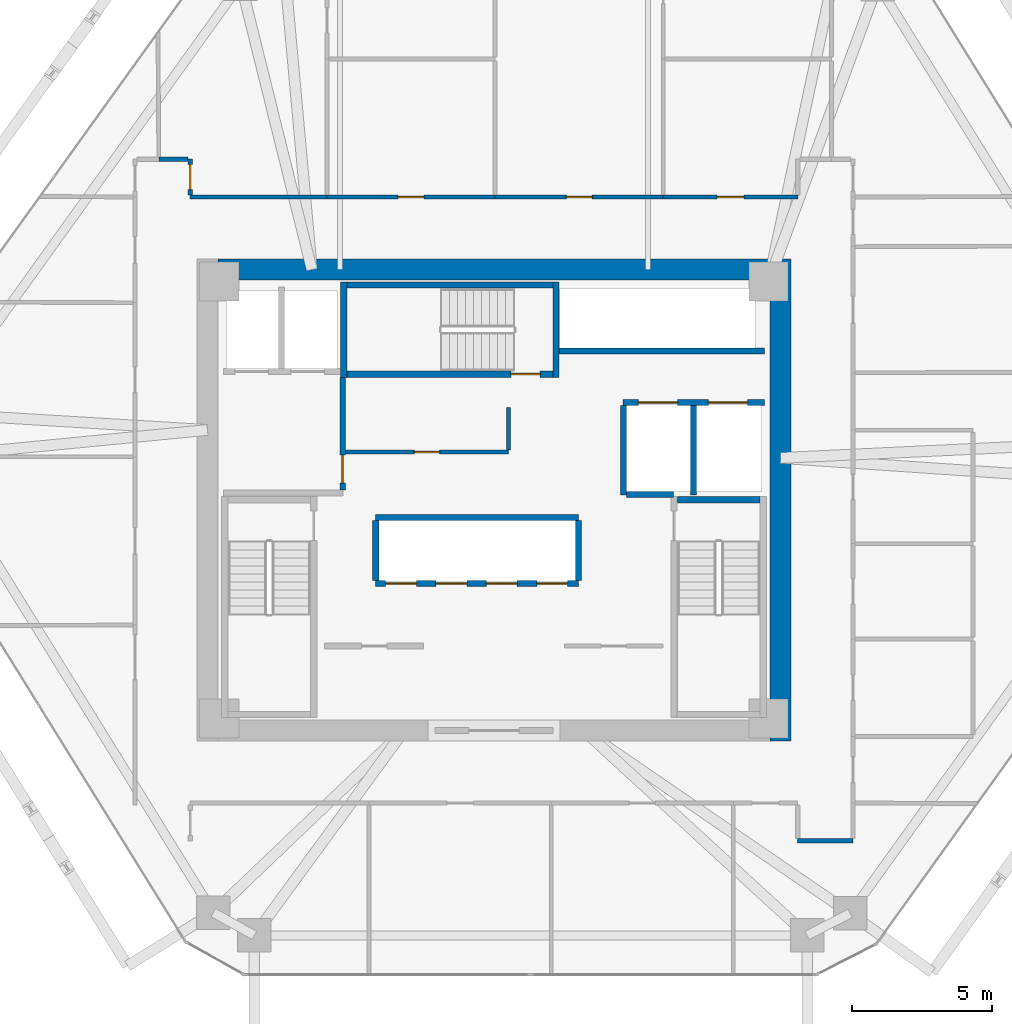
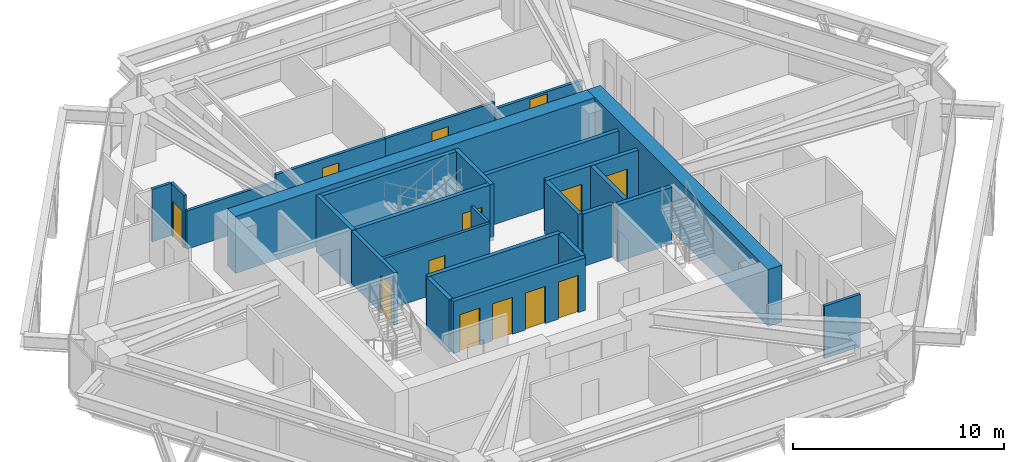
# One storey, part 11 of 14: 26 walls, 13 doors, 13 openings.
"""IFC4 building model written with IfcOpenShell, lengths in metres."""

from ifc_helpers import new_model, si_unit, direction, frame, frame_2d, origin, place, context, subcontext, project, spatial, rectangle, extrude, source, transform, mapped, material, layer, layer_set, type_object, type_shapes, element, fill, save


model = new_model("IFC4")

# Units and contexts
model_context = context("Model", 3, precision=1e-05, world=origin(), true_north=direction((0.0, 1.0)))
body_context = subcontext(model_context, "Body", "Model", "MODEL_VIEW")
ifc_project = project(units=[si_unit("LENGTHUNIT", "METRE"), si_unit("AREAUNIT", "SQUARE_METRE"), si_unit("VOLUMEUNIT", "CUBIC_METRE"), si_unit("PLANEANGLEUNIT", "RADIAN"), si_unit("MASSUNIT", "GRAM", prefix="KILO")], contexts=[model_context])

# Site, building, storey
site_placement = place(None, origin())
site = spatial("IfcSite", under=ifc_project, at=site_placement, CompositionType="ELEMENT")
building_placement = place(site_placement, origin())
building = spatial("IfcBuilding", under=site, at=building_placement, Name="Durnholm Broadcast Tower", CompositionType="ELEMENT")
storey_placement = place(building_placement, frame((0.0, 0.0, 114.0)))
storey = spatial("IfcBuildingStorey", under=building, at=storey_placement, Name="L30", CompositionType="ELEMENT", Elevation=114.0)

# Walls
ifc_material_1 = material(Name="Concrete C70/85", Category="concrete")
ifc_layer_1 = layer(ifc_material_1, 0.75)
ifc_layer_set_1 = layer_set([ifc_layer_1], Name="Concrete C70/85")
wall_type_1 = type_object("IfcWallType", Name="WALL-CW-750", PredefinedType="SHEAR", material=ifc_layer_set_1)
wall_1_placement = place(storey_placement, frame((10.22509765625, -8.60009765625, 0.0), z_axis=(0.0, 0.0, 1.0), x_axis=(0.0, 1.0, 0.0)))
element("IfcWall", 1, at=wall_1_placement, inside=storey, type_object=wall_type_1, Name="L30 central core shear wall CW-EAST", PredefinedType="SHEAR", context=body_context, shape_type="SweptSolid", body=[
    extrude(rectangle(XDim=17.2001953125, YDim=0.75, at=frame_2d((8.60009765625, 0.0))), origin(), (0.0, 0.0, 1.0), 3.300048828125),
])
wall_2_placement = place(storey_placement, frame((-9.85009765625, 8.22509765625, 0.0), z_axis=(0.0, 0.0, 1.0), x_axis=(1.0, 0.0, 0.0)))
element("IfcWall", 2, at=wall_2_placement, inside=storey, type_object=wall_type_1, Name="L30 central core shear wall CW-N", PredefinedType="SHEAR", context=body_context, shape_type="SweptSolid", body=[
    extrude(rectangle(XDim=19.7001953125, YDim=0.75, at=frame_2d((9.85009765625, 0.0))), origin(), (0.0, 0.0, 1.0), 3.300048828125),
])

# Wall, opening, door
ifc_material_2 = material(Name="Fire-Rated Gypsum Shaftwall", Category="concrete")
ifc_layer_2 = layer(ifc_material_2, 0.199951171875)
ifc_layer_set_2 = layer_set([ifc_layer_2], Name="Fire-Rated Gypsum Shaftwall")
wall_type_2 = type_object("IfcWallType", Name="WALL-LOB-200", PredefinedType="SOLIDWALL", material=ifc_layer_set_2)
wall_3_placement = place(storey_placement, frame((-5.39990234375, 0.35400390625, 0.0), z_axis=(0.0, 0.0, 1.0), x_axis=(0.0, 1.0, 0.0)))
wall_3 = element("IfcWall", 3, at=wall_3_placement, inside=storey, type_object=wall_type_2, Name="L30 Fire Service Access Elevator lobby east fire wall", PredefinedType="SOLIDWALL", context=body_context, shape_type="SweptSolid", body=[
    extrude(rectangle(XDim=4.02587890625, YDim=0.199951171875, at=frame_2d((2.012939453125, 0.0))), origin(), (0.0, 0.0, 1.0), 3.044921875),
])
opening_1_placement = place(wall_3_placement, frame((0.24609375, 0.0, 0.0)))
opening_1 = element("IfcOpeningElement", 4, at=opening_1_placement, cuts=wall_3, Name="Opening DL-60L", PredefinedType="OPENING", context=body_context, shape_type="SweptSolid", body=[
    extrude(rectangle(XDim=1.0, YDim=2.14990234375, at=frame_2d((0.5, 1.074951171875))), frame((0.0, 0.10986328125, 0.0), z_axis=(0.0, -1.0, 0.0), x_axis=(1.0, 0.0, 0.0)), (0.0, 0.0, 1.0), 0.219970703125),
])
ifc_material_3 = material(Name="Fire-Rated Timber/Steel Door", Category="steel")
ifc_layer_3 = layer(ifc_material_3, 0.050048828125)
ifc_layer_set_3 = layer_set([ifc_layer_3], Name="Fire-Rated Timber/Steel Door")
door_type_1 = type_object("IfcDoorType", Name="DOOR-LOB-FD60-L", OperationType="NOTDEFINED", PredefinedType="DOOR", material=ifc_layer_set_3)
shared_shape_1 = source(origin(), body_context, "Body", "SweptSolid", [
    extrude(rectangle(XDim=1.0, YDim=2.14990234375, at=frame_2d((0.5, 1.074951171875))), frame((0.0, 0.02490234375, 0.0), z_axis=(0.0, -1.0, 0.0), x_axis=(1.0, 0.0, 0.0)), (0.0, 0.0, 1.0), 0.050048828125),
])
type_shapes(door_type_1, [shared_shape_1])
door_1_placement = place(opening_1_placement, origin())
door_1 = element("IfcDoor", 5, at=door_1_placement, inside=storey, type_object=door_type_1, Name="L30 Fire Service Access Elevator lobby smoke door", OperationType="SINGLE_SWING_LEFT", OverallHeight=2.14990234375, OverallWidth=1.0, PredefinedType="DOOR", context=body_context, shape_type="MappedRepresentation", body=[
    mapped(shared_shape_1, transform((0.0, 0.0, 0.0), x_axis=(1.0, 0.0, 0.0), y_axis=(0.0, 1.0, 0.0), z_axis=(0.0, 0.0, 1.0), scale=1.0)),
])
fill(opening_1, door_1)

ifc_material_4 = material(Name="Acoustic Gypsum Stud Partition", Category="concrete")
ifc_layer_4 = layer(ifc_material_4, 0.14990234375)
ifc_layer_set_4 = layer_set([ifc_layer_4], Name="Acoustic Gypsum Stud Partition")
wall_type_3 = type_object("IfcWallType", Name="WALL-PART-150", PredefinedType="PARTITIONING", material=ifc_layer_set_4)
wall_4_placement = place(storey_placement, frame((0.52001953125, 1.7099609375, 0.0), z_axis=(0.0, 0.0, 1.0), x_axis=(-1.0, 0.0, 0.0)))
wall_4 = element("IfcWall", 6, at=wall_4_placement, inside=storey, type_object=wall_type_3, Name="L30 Core Housekeeping Room corridor partition", PredefinedType="PARTITIONING", context=body_context, shape_type="SweptSolid", body=[
    extrude(rectangle(XDim=5.81591796875, YDim=0.14990234375, at=frame_2d((2.907958984375, 0.0))), origin(), (0.0, 0.0, 1.0), 3.044921875),
])
opening_2_placement = place(wall_4_placement, frame((2.4580078125, 0.0, 0.0)))
opening_2 = element("IfcOpeningElement", 7, at=opening_2_placement, cuts=wall_4, Name="Opening DC-60L", PredefinedType="OPENING", context=body_context, shape_type="SweptSolid", body=[
    extrude(rectangle(XDim=0.89990234375, YDim=2.050048828125, at=frame_2d((0.449951171875, 1.02490234375))), frame((0.0, 0.0849609375, 0.0), z_axis=(0.0, -1.0, 0.0), x_axis=(1.0, 0.0, 0.0)), (0.0, 0.0, 1.0), 0.169921875),
])
ifc_material_5 = material(Name="Fire-Rated Core Service Door", Category="steel")
ifc_layer_5 = layer(ifc_material_5, 0.050048828125)
ifc_layer_set_5 = layer_set([ifc_layer_5], Name="Fire-Rated Core Service Door")
door_type_2 = type_object("IfcDoorType", Name="DOOR-CORE-FD60-L", OperationType="NOTDEFINED", PredefinedType="DOOR", material=ifc_layer_set_5)
shared_shape_2 = source(origin(), body_context, "Body", "SweptSolid", [
    extrude(rectangle(XDim=0.89990234375, YDim=2.050048828125, at=frame_2d((0.449951171875, 1.02490234375))), frame((0.0, 0.02490234375, 0.0), z_axis=(0.0, -1.0, 0.0), x_axis=(1.0, 0.0, 0.0)), (0.0, 0.0, 1.0), 0.050048828125),
])
type_shapes(door_type_2, [shared_shape_2])
door_2_placement = place(opening_2_placement, origin())
door_2 = element("IfcDoor", 8, at=door_2_placement, inside=storey, type_object=door_type_2, Name="L30 Core Housekeeping Room entrance door", OperationType="SINGLE_SWING_LEFT", OverallHeight=2.050048828125, OverallWidth=0.89990234375, PredefinedType="DOOR", context=body_context, shape_type="MappedRepresentation", body=[
    mapped(shared_shape_2, transform((0.0, 0.0, 0.0), x_axis=(1.0, 0.0, 0.0), y_axis=(0.0, 1.0, 0.0), z_axis=(0.0, 0.0, 1.0), scale=1.0)),
])
fill(opening_2, door_2)

# Walls
wall_5_placement = place(storey_placement, frame((0.52001953125, 3.300048828125, 0.0), z_axis=(0.0, 0.0, 1.0), x_axis=(0.0, -1.0, 0.0)))
element("IfcWall", 9, at=wall_5_placement, inside=storey, type_object=wall_type_3, Name="L30 Core Housekeeping Room corridor partition", PredefinedType="PARTITIONING", context=body_context, shape_type="SweptSolid", body=[
    extrude(rectangle(XDim=1.510986328125, YDim=0.14990234375, at=frame_2d((0.75537109375, 0.0))), origin(), (0.0, 0.0, 1.0), 3.044921875),
])
wall_6_placement = place(storey_placement, frame((-5.9599609375, 10.81005859375, 0.0), z_axis=(0.0, 0.0, 1.0), x_axis=(-1.0, 0.0, 0.0)))
element("IfcWall", 10, at=wall_6_placement, inside=storey, type_object=wall_type_3, Name="L30 Open Plan Broadcast Workspace 3 corridor partition", PredefinedType="PARTITIONING", context=body_context, shape_type="SweptSolid", body=[
    extrude(rectangle(XDim=4.880126953125, YDim=0.14990234375, at=frame_2d((2.43994140625, 0.0))), origin(), (0.0, 0.0, 1.0), 2.212158203125),
])

# Wall, opening, door
wall_7_placement = place(storey_placement, frame((-10.840087890625, 10.888916015625, 0.0), z_axis=(0.0, 0.0, 1.0), x_axis=(0.0, 1.0, 0.0)))
wall_7 = element("IfcWall", 11, at=wall_7_placement, inside=storey, type_object=wall_type_3, Name="L30 Open Plan Broadcast Workspace 3 corridor partition", PredefinedType="PARTITIONING", context=body_context, shape_type="SweptSolid", body=[
    extrude(rectangle(XDim=1.27099609375, YDim=0.14990234375, at=frame_2d((0.635498046875, 0.0))), origin(), (0.0, 0.0, 1.0), 3.044921875),
])
opening_3_placement = place(wall_7_placement, frame((0.185546875, 0.0, 0.0)))
opening_3 = element("IfcOpeningElement", 12, at=opening_3_placement, cuts=wall_7, Name="Opening DW-90R", PredefinedType="OPENING", context=body_context, shape_type="SweptSolid", body=[
    extrude(rectangle(XDim=0.89990234375, YDim=2.050048828125, at=frame_2d((0.449951171875, 1.02490234375))), frame((0.0, 0.0849609375, 0.0), z_axis=(0.0, -1.0, 0.0), x_axis=(1.0, 0.0, 0.0)), (0.0, 0.0, 1.0), 0.169921875),
])
ifc_material_6 = material(Name="Laminate Restroom Door", Category="steel")
ifc_layer_6 = layer(ifc_material_6, 0.050048828125)
ifc_layer_set_6 = layer_set([ifc_layer_6], Name="Laminate Restroom Door")
door_type_3 = type_object("IfcDoorType", Name="DOOR-WC-900R", OperationType="NOTDEFINED", PredefinedType="DOOR", material=ifc_layer_set_6)
shared_shape_3 = source(origin(), body_context, "Body", "SweptSolid", [
    extrude(rectangle(XDim=0.89990234375, YDim=2.050048828125, at=frame_2d((0.449951171875, 1.02490234375))), frame((0.0, 0.02490234375, 0.0), z_axis=(0.0, -1.0, 0.0), x_axis=(1.0, 0.0, 0.0)), (0.0, 0.0, 1.0), 0.050048828125),
])
type_shapes(door_type_3, [shared_shape_3])
door_3_placement = place(opening_3_placement, origin())
door_3 = element("IfcDoor", 13, at=door_3_placement, inside=storey, type_object=door_type_3, Name="L30 Open Plan Broadcast Workspace 3 entrance door", OperationType="SINGLE_SWING_RIGHT", OverallHeight=2.050048828125, OverallWidth=0.89990234375, PredefinedType="DOOR", context=body_context, shape_type="MappedRepresentation", body=[
    mapped(shared_shape_3, transform((0.0, 0.0, 0.0), x_axis=(1.0, 0.0, 0.0), y_axis=(0.0, 1.0, 0.0), z_axis=(0.0, 0.0, 1.0), scale=1.0)),
])
fill(opening_3, door_3)

# Wall
wall_8_placement = place(storey_placement, frame((-10.9189453125, 12.159912109375, 0.0), z_axis=(0.0, 0.0, 1.0), x_axis=(-1.0, 0.0, 0.0)))
element("IfcWall", 14, at=wall_8_placement, inside=storey, type_object=wall_type_3, Name="L30 Open Plan Broadcast Workspace 3 corridor partition", PredefinedType="PARTITIONING", context=body_context, shape_type="SweptSolid", body=[
    extrude(rectangle(XDim=1.041015625, YDim=0.14990234375, at=frame_2d((0.5205078125, 0.0))), origin(), (0.0, 0.0, 1.0), 3.044921875),
])

# Wall, opening, door
wall_9_placement = place(storey_placement, frame((0.0400390625, 10.81005859375, 0.0), z_axis=(0.0, 0.0, 1.0), x_axis=(-1.0, 0.0, 0.0)))
wall_9 = element("IfcWall", 15, at=wall_9_placement, inside=storey, type_object=wall_type_3, Name="L30 Affiliate Dining Room corridor partition", PredefinedType="PARTITIONING", context=body_context, shape_type="SweptSolid", body=[
    extrude(rectangle(XDim=6.0, YDim=0.14990234375, at=frame_2d((3.0, 0.0))), origin(), (0.0, 0.0, 1.0), 2.6083984375),
])
opening_4_placement = place(wall_9_placement, frame((2.5400390625, 0.0, 0.0)))
opening_4 = element("IfcOpeningElement", 16, at=opening_4_placement, cuts=wall_9, Name="Opening DR-92L", PredefinedType="OPENING", context=body_context, shape_type="SweptSolid", body=[
    extrude(rectangle(XDim=0.919921875, YDim=2.10009765625, at=frame_2d((0.4599609375, 1.050048828125))), frame((0.0, 0.0849609375, 0.0), z_axis=(0.0, -1.0, 0.0), x_axis=(1.0, 0.0, 0.0)), (0.0, 0.0, 1.0), 0.169921875),
])
ifc_material_7 = material(Name="Oak Veneer Office Door", Category="wood")
ifc_layer_7 = layer(ifc_material_7, 0.050048828125)
ifc_layer_set_7 = layer_set([ifc_layer_7], Name="Oak Veneer Office Door")
door_type_4 = type_object("IfcDoorType", Name="DOOR-RM-920L", OperationType="NOTDEFINED", PredefinedType="DOOR", material=ifc_layer_set_7)
shared_shape_4 = source(origin(), body_context, "Body", "SweptSolid", [
    extrude(rectangle(XDim=0.919921875, YDim=2.10009765625, at=frame_2d((0.4599609375, 1.050048828125))), frame((0.0, 0.02490234375, 0.0), z_axis=(0.0, -1.0, 0.0), x_axis=(1.0, 0.0, 0.0)), (0.0, 0.0, 1.0), 0.050048828125),
])
type_shapes(door_type_4, [shared_shape_4])
door_4_placement = place(opening_4_placement, origin())
door_4 = element("IfcDoor", 17, at=door_4_placement, inside=storey, type_object=door_type_4, Name="L30 Affiliate Dining Room entrance door", OperationType="SINGLE_SWING_LEFT", OverallHeight=2.10009765625, OverallWidth=0.919921875, PredefinedType="DOOR", context=body_context, shape_type="MappedRepresentation", body=[
    mapped(shared_shape_4, transform((0.0, 0.0, 0.0), x_axis=(1.0, 0.0, 0.0), y_axis=(0.0, 1.0, 0.0), z_axis=(0.0, 0.0, 1.0), scale=1.0)),
])
fill(opening_4, door_4)

wall_10_placement = place(storey_placement, frame((6.0400390625, 10.81005859375, 0.0), z_axis=(0.0, 0.0, 1.0), x_axis=(-1.0, 0.0, 0.0)))
wall_10 = element("IfcWall", 18, at=wall_10_placement, inside=storey, type_object=wall_type_3, Name="L30 Research Meeting Room corridor partition", PredefinedType="PARTITIONING", context=body_context, shape_type="SweptSolid", body=[
    extrude(rectangle(XDim=6.0, YDim=0.14990234375, at=frame_2d((3.0, 0.0))), origin(), (0.0, 0.0, 1.0), 2.6083984375),
])
opening_5_placement = place(wall_10_placement, frame((2.5400390625, 0.0, 0.0)))
opening_5 = element("IfcOpeningElement", 19, at=opening_5_placement, cuts=wall_10, Name="Opening DR-92R", PredefinedType="OPENING", context=body_context, shape_type="SweptSolid", body=[
    extrude(rectangle(XDim=0.919921875, YDim=2.10009765625, at=frame_2d((0.4599609375, 1.050048828125))), frame((0.0, 0.0849609375, 0.0), z_axis=(0.0, -1.0, 0.0), x_axis=(1.0, 0.0, 0.0)), (0.0, 0.0, 1.0), 0.169921875),
])
ifc_layer_8 = layer(ifc_material_7, 0.050048828125)
ifc_layer_set_8 = layer_set([ifc_layer_8], Name="Oak Veneer Office Door")
door_type_5 = type_object("IfcDoorType", Name="DOOR-RM-920R", OperationType="NOTDEFINED", PredefinedType="DOOR", material=ifc_layer_set_8)
shared_shape_5 = source(origin(), body_context, "Body", "SweptSolid", [
    extrude(rectangle(XDim=0.919921875, YDim=2.10009765625, at=frame_2d((0.4599609375, 1.050048828125))), frame((0.0, 0.02490234375, 0.0), z_axis=(0.0, -1.0, 0.0), x_axis=(1.0, 0.0, 0.0)), (0.0, 0.0, 1.0), 0.050048828125),
])
type_shapes(door_type_5, [shared_shape_5])
door_5_placement = place(opening_5_placement, origin())
door_5 = element("IfcDoor", 20, at=door_5_placement, inside=storey, type_object=door_type_5, Name="L30 Research Meeting Room entrance door", OperationType="SINGLE_SWING_RIGHT", OverallHeight=2.10009765625, OverallWidth=0.919921875, PredefinedType="DOOR", context=body_context, shape_type="MappedRepresentation", body=[
    mapped(shared_shape_5, transform((0.0, 0.0, 0.0), x_axis=(1.0, 0.0, 0.0), y_axis=(0.0, 1.0, 0.0), z_axis=(0.0, 0.0, 1.0), scale=1.0)),
])
fill(opening_5, door_5)

wall_11_placement = place(storey_placement, frame((10.840087890625, 10.81005859375, 0.0), z_axis=(0.0, 0.0, 1.0), x_axis=(-1.0, 0.0, 0.0)))
wall_11 = element("IfcWall", 21, at=wall_11_placement, inside=storey, type_object=wall_type_3, Name="L30 Hospitality Kitchen corridor partition", PredefinedType="PARTITIONING", context=body_context, shape_type="SweptSolid", body=[
    extrude(rectangle(XDim=4.800048828125, YDim=0.14990234375, at=frame_2d((2.39990234375, 0.0))), origin(), (0.0, 0.0, 1.0), 2.212158203125),
])
opening_6_placement = place(wall_11_placement, frame((1.925048828125, 0.0, 0.0)))
opening_6 = element("IfcOpeningElement", 22, at=opening_6_placement, cuts=wall_11, Name="Opening DR-95L", PredefinedType="OPENING", context=body_context, shape_type="SweptSolid", body=[
    extrude(rectangle(XDim=0.949951171875, YDim=2.10009765625, at=frame_2d((0.47509765625, 1.050048828125))), frame((0.0, 0.0849609375, 0.0), z_axis=(0.0, -1.0, 0.0), x_axis=(1.0, 0.0, 0.0)), (0.0, 0.0, 1.0), 0.169921875),
])
ifc_material_8 = material(Name="Acoustic Oak Veneer Timber Door", Category="wood")
ifc_layer_9 = layer(ifc_material_8, 0.050048828125)
ifc_layer_set_9 = layer_set([ifc_layer_9], Name="Acoustic Oak Veneer Timber Door")
door_type_6 = type_object("IfcDoorType", Name="DOOR-RM-950L", OperationType="NOTDEFINED", PredefinedType="DOOR", material=ifc_layer_set_9)
shared_shape_6 = source(origin(), body_context, "Body", "SweptSolid", [
    extrude(rectangle(XDim=0.949951171875, YDim=2.10009765625, at=frame_2d((0.47509765625, 1.050048828125))), frame((0.0, 0.02490234375, 0.0), z_axis=(0.0, -1.0, 0.0), x_axis=(1.0, 0.0, 0.0)), (0.0, 0.0, 1.0), 0.050048828125),
])
type_shapes(door_type_6, [shared_shape_6])
door_6_placement = place(opening_6_placement, origin())
door_6 = element("IfcDoor", 23, at=door_6_placement, inside=storey, type_object=door_type_6, Name="L30 Hospitality Kitchen entrance door", OperationType="SINGLE_SWING_LEFT", OverallHeight=2.10009765625, OverallWidth=0.949951171875, PredefinedType="DOOR", context=body_context, shape_type="MappedRepresentation", body=[
    mapped(shared_shape_6, transform((0.0, 0.0, 0.0), x_axis=(1.0, 0.0, 0.0), y_axis=(0.0, 1.0, 0.0), z_axis=(0.0, 0.0, 1.0), scale=1.0)),
])
fill(opening_6, door_6)

# Wall
wall_12_placement = place(storey_placement, frame((10.840087890625, -12.159912109375, 0.0), z_axis=(0.0, 0.0, 1.0), x_axis=(1.0, 0.0, 0.0)))
element("IfcWall", 24, at=wall_12_placement, inside=storey, type_object=wall_type_3, Name="L30 Open Plan Broadcast Workspace 1 corridor partition", PredefinedType="PARTITIONING", context=body_context, shape_type="SweptSolid", body=[
    extrude(rectangle(XDim=1.969970703125, YDim=0.14990234375, at=frame_2d((0.98486328125, 0.0))), origin(), (0.0, 0.0, 1.0), 3.044921875),
])

# Wall, openings, doors
ifc_material_9 = material(Name="Concrete Blockwork C30/37", Category="masonry")
ifc_layer_10 = layer(ifc_material_9, 0.219970703125)
ifc_layer_set_10 = layer_set([ifc_layer_10], Name="Concrete Blockwork C30/37")
wall_type_4 = type_object("IfcWallType", Name="WALL-SHAFT-220", PredefinedType="SOLIDWALL", material=ifc_layer_set_10)
wall_13_placement = place(storey_placement, frame((4.60009765625, 3.47998046875, 0.0), z_axis=(0.0, 0.0, 1.0), x_axis=(1.0, 0.0, 0.0)))
wall_13 = element("IfcWall", 25, at=wall_13_placement, inside=storey, type_object=wall_type_4, Name="L30 freight service lifts north front wall", PredefinedType="SOLIDWALL", context=body_context, shape_type="SweptSolid", body=[
    extrude(rectangle(XDim=5.0498046875, YDim=0.219970703125, at=frame_2d((2.52490234375, 0.0))), origin(), (0.0, 0.0, 1.0), 3.044921875),
])
opening_7_placement = place(wall_13_placement, frame((0.550048828125, 0.0, 0.0)))
opening_7 = element("IfcOpeningElement", 26, at=opening_7_placement, cuts=wall_13, Name="Opening LD-SVL-2", PredefinedType="OPENING", context=body_context, shape_type="SweptSolid", body=[
    extrude(rectangle(XDim=1.39990234375, YDim=2.14990234375, at=frame_2d((0.699951171875, 1.074951171875))), frame((0.0, 0.1201171875, 0.0), z_axis=(0.0, -1.0, 0.0), x_axis=(1.0, 0.0, 0.0)), (0.0, 0.0, 1.0), 0.239990234375),
])
opening_8_placement = place(wall_13_placement, frame((3.050048828125, 0.0, 0.0)))
opening_8 = element("IfcOpeningElement", 27, at=opening_8_placement, cuts=wall_13, Name="Opening LD-SVL-1", PredefinedType="OPENING", context=body_context, shape_type="SweptSolid", body=[
    extrude(rectangle(XDim=1.39990234375, YDim=2.14990234375, at=frame_2d((0.699951171875, 1.074951171875))), frame((0.0, 0.1201171875, 0.0), z_axis=(0.0, -1.0, 0.0), x_axis=(1.0, 0.0, 0.0)), (0.0, 0.0, 1.0), 0.239990234375),
])
ifc_material_10 = material(Name="Freight Elevator Bi-Parting Sliding Landing Door", Category="steel")
ifc_layer_11 = layer(ifc_material_10, 0.050048828125)
ifc_layer_set_11 = layer_set([ifc_layer_11], Name="Freight Elevator Bi-Parting Sliding Landing Door")
door_type_7 = type_object("IfcDoorType", Name="DOOR-LIFT-SVL", OperationType="DOUBLE_DOOR_SLIDING", PredefinedType="DOOR", material=ifc_layer_set_11)
shared_shape_7 = source(origin(), body_context, "Body", "SweptSolid", [
    extrude(rectangle(XDim=1.39990234375, YDim=2.14990234375, at=frame_2d((0.699951171875, 1.074951171875))), frame((0.0, 0.02490234375, 0.0), z_axis=(0.0, -1.0, 0.0), x_axis=(1.0, 0.0, 0.0)), (0.0, 0.0, 1.0), 0.050048828125),
])
type_shapes(door_type_7, [shared_shape_7])
door_7_placement = place(opening_7_placement, origin())
door_7 = element("IfcDoor", 28, at=door_7_placement, inside=storey, type_object=door_type_7, Name="L30 freight service elevator SVL-2 sliding landing door", OperationType="DOUBLE_DOOR_SLIDING", OverallHeight=2.14990234375, OverallWidth=1.39990234375, PredefinedType="DOOR", context=body_context, shape_type="MappedRepresentation", body=[
    mapped(shared_shape_7, transform((0.0, 0.0, 0.0), x_axis=(1.0, 0.0, 0.0), y_axis=(0.0, 1.0, 0.0), z_axis=(0.0, 0.0, 1.0), scale=1.0)),
])
fill(opening_7, door_7)
door_8_placement = place(opening_8_placement, origin())
door_8 = element("IfcDoor", 29, at=door_8_placement, inside=storey, type_object=door_type_7, Name="L30 freight service elevator SVL-1 sliding landing door", OperationType="DOUBLE_DOOR_SLIDING", OverallHeight=2.14990234375, OverallWidth=1.39990234375, PredefinedType="DOOR", context=body_context, shape_type="MappedRepresentation", body=[
    mapped(shared_shape_7, transform((0.0, 0.0, 0.0), x_axis=(1.0, 0.0, 0.0), y_axis=(0.0, 1.0, 0.0), z_axis=(0.0, 0.0, 1.0), scale=1.0)),
])
fill(opening_8, door_8)

# Walls
for number, where, z_axis, x_axis, name in (
    (30, (4.6201171875, 0.179931640625, 0.0), (0.0, 0.0, 1.0), (0.0, 1.0, 0.0), "L30 freight service lift SVL-2 west wall"),
    (31, (7.1201171875, 0.179931640625, 0.0), (0.0, 0.0, 1.0), (0.0, 1.0, 0.0), "L30 freight service lifts divider wall"),
):
    element("IfcWall", number, at=place(storey_placement, frame(where, z_axis=z_axis, x_axis=x_axis)), inside=storey, type_object=wall_type_4, Name=name, PredefinedType="SOLIDWALL", context=body_context, shape_type="SweptSolid", body=[
        extrude(rectangle(XDim=3.18603515625, YDim=0.219970703125, at=frame_2d((1.593017578125, 0.0))), origin(), (0.0, 0.0, 1.0), 3.044921875),
    ])
wall_14_placement = place(storey_placement, frame((4.73388671875, 0.199951171875, 0.0), z_axis=(0.0, 0.0, 1.0), x_axis=(1.0, 0.0, 0.0)))
element("IfcWall", 32, at=wall_14_placement, inside=storey, type_object=wall_type_4, Name="L30 freight service lift SVL-2 south wall", PredefinedType="SOLIDWALL", context=body_context, shape_type="SweptSolid", body=[
    extrude(rectangle(XDim=1.666015625, YDim=0.219970703125, at=frame_2d((0.8330078125, 0.0))), origin(), (0.0, 0.0, 1.0), 3.044921875),
])

# Wall, openings, doors
wall_15_placement = place(storey_placement, frame((-4.219970703125, -2.97998046875, 0.0), z_axis=(0.0, 0.0, 1.0), x_axis=(1.0, 0.0, 0.0)))
wall_15 = element("IfcWall", 33, at=wall_15_placement, inside=storey, type_object=wall_type_4, Name="L30 mid-rise bank P2 south front wall", PredefinedType="SOLIDWALL", context=body_context, shape_type="SweptSolid", body=[
    extrude(rectangle(XDim=7.239990234375, YDim=0.219970703125, at=frame_2d((3.6201171875, 0.0))), origin(), (0.0, 0.0, 1.0), 3.044921875),
])
opening_9_placement = place(wall_15_placement, frame((0.35009765625, 0.0, 0.0)))
opening_9 = element("IfcOpeningElement", 34, at=opening_9_placement, cuts=wall_15, Name="Opening LD-LP2-1", PredefinedType="OPENING", context=body_context, shape_type="SweptSolid", body=[
    extrude(rectangle(XDim=1.10009765625, YDim=2.14990234375, at=frame_2d((0.550048828125, 1.074951171875))), frame((0.0, 0.1201171875, 0.0), z_axis=(0.0, -1.0, 0.0), x_axis=(1.0, 0.0, 0.0)), (0.0, 0.0, 1.0), 0.239990234375),
])
opening_10_placement = place(wall_15_placement, frame((2.14990234375, 0.0, 0.0)))
opening_10 = element("IfcOpeningElement", 35, at=opening_10_placement, cuts=wall_15, Name="Opening LD-LP2-2", PredefinedType="OPENING", context=body_context, shape_type="SweptSolid", body=[
    extrude(rectangle(XDim=1.10009765625, YDim=2.14990234375, at=frame_2d((0.550048828125, 1.074951171875))), frame((0.0, 0.1201171875, 0.0), z_axis=(0.0, -1.0, 0.0), x_axis=(1.0, 0.0, 0.0)), (0.0, 0.0, 1.0), 0.239990234375),
])
opening_11_placement = place(wall_15_placement, frame((3.949951171875, 0.0, 0.0)))
opening_11 = element("IfcOpeningElement", 36, at=opening_11_placement, cuts=wall_15, Name="Opening LD-LP2-3", PredefinedType="OPENING", context=body_context, shape_type="SweptSolid", body=[
    extrude(rectangle(XDim=1.10009765625, YDim=2.14990234375, at=frame_2d((0.550048828125, 1.074951171875))), frame((0.0, 0.1201171875, 0.0), z_axis=(0.0, -1.0, 0.0), x_axis=(1.0, 0.0, 0.0)), (0.0, 0.0, 1.0), 0.239990234375),
])
opening_12_placement = place(wall_15_placement, frame((5.75, 0.0, 0.0)))
opening_12 = element("IfcOpeningElement", 37, at=opening_12_placement, cuts=wall_15, Name="Opening LD-LP2-4", PredefinedType="OPENING", context=body_context, shape_type="SweptSolid", body=[
    extrude(rectangle(XDim=1.10009765625, YDim=2.14990234375, at=frame_2d((0.550048828125, 1.074951171875))), frame((0.0, 0.1201171875, 0.0), z_axis=(0.0, -1.0, 0.0), x_axis=(1.0, 0.0, 0.0)), (0.0, 0.0, 1.0), 0.239990234375),
])
ifc_material_11 = material(Name="Stainless Steel Sliding Elevator Landing Door", Category="steel")
ifc_layer_12 = layer(ifc_material_11, 0.050048828125)
ifc_layer_set_12 = layer_set([ifc_layer_12], Name="Stainless Steel Sliding Elevator Landing Door")
door_type_8 = type_object("IfcDoorType", Name="DOOR-LIFT-PAX", OperationType="DOUBLE_DOOR_SLIDING", PredefinedType="DOOR", material=ifc_layer_set_12)
shared_shape_8 = source(origin(), body_context, "Body", "SweptSolid", [
    extrude(rectangle(XDim=1.10009765625, YDim=2.14990234375, at=frame_2d((0.550048828125, 1.074951171875))), frame((0.0, 0.02490234375, 0.0), z_axis=(0.0, -1.0, 0.0), x_axis=(1.0, 0.0, 0.0)), (0.0, 0.0, 1.0), 0.050048828125),
])
type_shapes(door_type_8, [shared_shape_8])
door_9_placement = place(opening_9_placement, origin())
door_9 = element("IfcDoor", 38, at=door_9_placement, inside=storey, type_object=door_type_8, Name="L30 passenger elevator LP2-1 sliding landing door", OperationType="DOUBLE_DOOR_SLIDING", OverallHeight=2.14990234375, OverallWidth=1.10009765625, PredefinedType="DOOR", context=body_context, shape_type="MappedRepresentation", body=[
    mapped(shared_shape_8, transform((0.0, 0.0, 0.0), x_axis=(1.0, 0.0, 0.0), y_axis=(0.0, 1.0, 0.0), z_axis=(0.0, 0.0, 1.0), scale=1.0)),
])
fill(opening_9, door_9)
door_10_placement = place(opening_10_placement, origin())
door_10 = element("IfcDoor", 39, at=door_10_placement, inside=storey, type_object=door_type_8, Name="L30 passenger elevator LP2-2 sliding landing door", OperationType="DOUBLE_DOOR_SLIDING", OverallHeight=2.14990234375, OverallWidth=1.10009765625, PredefinedType="DOOR", context=body_context, shape_type="MappedRepresentation", body=[
    mapped(shared_shape_8, transform((0.0, 0.0, 0.0), x_axis=(1.0, 0.0, 0.0), y_axis=(0.0, 1.0, 0.0), z_axis=(0.0, 0.0, 1.0), scale=1.0)),
])
fill(opening_10, door_10)
door_11_placement = place(opening_11_placement, origin())
door_11 = element("IfcDoor", 40, at=door_11_placement, inside=storey, type_object=door_type_8, Name="L30 passenger elevator LP2-3 sliding landing door", OperationType="DOUBLE_DOOR_SLIDING", OverallHeight=2.14990234375, OverallWidth=1.10009765625, PredefinedType="DOOR", context=body_context, shape_type="MappedRepresentation", body=[
    mapped(shared_shape_8, transform((0.0, 0.0, 0.0), x_axis=(1.0, 0.0, 0.0), y_axis=(0.0, 1.0, 0.0), z_axis=(0.0, 0.0, 1.0), scale=1.0)),
])
fill(opening_11, door_11)
door_12_placement = place(opening_12_placement, origin())
door_12 = element("IfcDoor", 41, at=door_12_placement, inside=storey, type_object=door_type_8, Name="L30 passenger elevator LP2-4 sliding landing door", OperationType="DOUBLE_DOOR_SLIDING", OverallHeight=2.14990234375, OverallWidth=1.10009765625, PredefinedType="DOOR", context=body_context, shape_type="MappedRepresentation", body=[
    mapped(shared_shape_8, transform((0.0, 0.0, 0.0), x_axis=(1.0, 0.0, 0.0), y_axis=(0.0, 1.0, 0.0), z_axis=(0.0, 0.0, 1.0), scale=1.0)),
])
fill(opening_12, door_12)

# Walls
wall_16_placement = place(storey_placement, frame((-4.219970703125, -0.6201171875, 0.0), z_axis=(0.0, 0.0, 1.0), x_axis=(1.0, 0.0, 0.0)))
element("IfcWall", 42, at=wall_16_placement, inside=storey, type_object=wall_type_4, Name="L30 mid-rise bank P2 north shaft wall", PredefinedType="SOLIDWALL", context=body_context, shape_type="SweptSolid", body=[
    extrude(rectangle(XDim=7.239990234375, YDim=0.219970703125, at=frame_2d((3.6201171875, 0.0))), origin(), (0.0, 0.0, 1.0), 3.044921875),
])
for number, where, z_axis, x_axis, name in (
    (43, (-4.219970703125, -2.865966796875, 0.0), (0.0, 0.0, 1.0), (0.0, 1.0, 0.0), "L30 mid-rise bank P2 west shaft wall"),
    (44, (3.02001953125, -2.865966796875, 0.0), (0.0, 0.0, 1.0), (0.0, 1.0, 0.0), "L30 mid-rise bank P2 east shaft wall"),
):
    element("IfcWall", number, at=place(storey_placement, frame(where, z_axis=z_axis, x_axis=x_axis)), inside=storey, type_object=wall_type_4, Name=name, PredefinedType="SOLIDWALL", context=body_context, shape_type="SweptSolid", body=[
        extrude(rectangle(XDim=2.132080078125, YDim=0.219970703125, at=frame_2d((1.06591796875, 0.0))), origin(), (0.0, 0.0, 1.0), 3.044921875),
    ])
wall_17_placement = place(storey_placement, frame((2.324951171875, 5.320068359375, 0.0), z_axis=(0.0, 0.0, 1.0), x_axis=(1.0, 0.0, 0.0)))
element("IfcWall", 45, at=wall_17_placement, inside=storey, type_object=wall_type_4, Name="L30 high-rise bank P3 south front wall", PredefinedType="SOLIDWALL", context=body_context, shape_type="SweptSolid", body=[
    extrude(rectangle(XDim=7.324951171875, YDim=0.219970703125, at=frame_2d((3.66259765625, 0.0))), origin(), (0.0, 0.0, 1.0), 3.044921875),
])
ifc_material_12 = material(Name="Concrete C50/60", Category="concrete")
ifc_layer_13 = layer(ifc_material_12, 0.219970703125)
ifc_layer_set_13 = layer_set([ifc_layer_13], Name="Concrete C50/60")
wall_type_5 = type_object("IfcWallType", Name="WALL-SW-220", PredefinedType="SHEAR", material=ifc_layer_set_13)
wall_18_placement = place(storey_placement, frame((9.5, 0.010009765625, -0.239990234375), z_axis=(0.0, 0.0, 1.0), x_axis=(-1.0, 0.0, 0.0)))
element("IfcWall", 46, at=wall_18_placement, inside=storey, type_object=wall_type_5, Name="L30 stair ST-2 structural shaft wall N", PredefinedType="SHEAR", context=body_context, shape_type="SweptSolid", body=[
    extrude(rectangle(XDim=2.9599609375, YDim=0.219970703125, at=frame_2d((1.47998046875, 0.0))), origin(), (0.0, 0.0, 1.0), 3.300048828125),
])
for number, where, z_axis, x_axis, name in (
    (47, (2.2099609375, 4.3798828125, -0.239990234375), (0.0, 0.0, 1.0), (0.0, 1.0, 0.0), "L30 stair ST-3 structural shaft wall E"),
    (48, (-5.360107421875, 7.780029296875, -0.239990234375), (0.0, 0.0, 1.0), (0.0, -1.0, 0.0), "L30 stair ST-3 structural shaft wall W"),
):
    element("IfcWall", number, at=place(storey_placement, frame(where, z_axis=z_axis, x_axis=x_axis)), inside=storey, type_object=wall_type_5, Name=name, PredefinedType="SHEAR", context=body_context, shape_type="SweptSolid", body=[
        extrude(rectangle(XDim=3.400146484375, YDim=0.219970703125, at=frame_2d((1.7001953125, 0.0))), origin(), (0.0, 0.0, 1.0), 3.300048828125),
    ])

# Wall, opening, door
wall_19_placement = place(storey_placement, frame((-5.25, 4.489990234375, -0.239990234375), z_axis=(0.0, 0.0, 1.0), x_axis=(1.0, 0.0, 0.0)))
wall_19 = element("IfcWall", 49, at=wall_19_placement, inside=storey, type_object=wall_type_5, Name="L30 stair ST-3 structural shaft wall S", PredefinedType="SHEAR", context=body_context, shape_type="SweptSolid", body=[
    extrude(rectangle(XDim=7.35009765625, YDim=0.219970703125, at=frame_2d((3.675048828125, 0.0))), origin(), (0.0, 0.0, 1.0), 3.300048828125),
])
opening_13_placement = place(wall_19_placement, frame((5.85009765625, 0.0, 0.0)))
opening_13 = element("IfcOpeningElement", 50, at=opening_13_placement, cuts=wall_19, Name="Opening DS-90L", PredefinedType="OPENING", context=body_context, shape_type="SweptSolid", body=[
    extrude(rectangle(XDim=1.050048828125, YDim=2.14990234375, at=frame_2d((0.52490234375, 1.074951171875))), frame((0.0, 0.1201171875, 0.0), z_axis=(0.0, -1.0, 0.0), x_axis=(1.0, 0.0, 0.0)), (0.0, 0.0, 1.0), 0.239990234375),
])
ifc_material_13 = material(Name="Fire-Rated Steel Door", Category="steel")
ifc_layer_14 = layer(ifc_material_13, 0.050048828125)
ifc_layer_set_14 = layer_set([ifc_layer_14], Name="Fire-Rated Steel Door")
door_type_9 = type_object("IfcDoorType", Name="DOOR-ST-FD90-L", OperationType="NOTDEFINED", PredefinedType="DOOR", material=ifc_layer_set_14)
shared_shape_9 = source(origin(), body_context, "Body", "SweptSolid", [
    extrude(rectangle(XDim=1.050048828125, YDim=2.14990234375, at=frame_2d((0.52490234375, 1.074951171875))), frame((0.0, 0.02490234375, 0.0), z_axis=(0.0, -1.0, 0.0), x_axis=(1.0, 0.0, 0.0)), (0.0, 0.0, 1.0), 0.050048828125),
])
type_shapes(door_type_9, [shared_shape_9])
door_13_placement = place(opening_13_placement, origin())
door_13 = element("IfcDoor", 51, at=door_13_placement, inside=storey, type_object=door_type_9, Name="L30 exit stair ST-3 fire door", OperationType="SINGLE_SWING_LEFT", OverallHeight=2.14990234375, OverallWidth=1.050048828125, PredefinedType="DOOR", context=body_context, shape_type="MappedRepresentation", body=[
    mapped(shared_shape_9, transform((0.0, 0.0, 0.0), x_axis=(1.0, 0.0, 0.0), y_axis=(0.0, 1.0, 0.0), z_axis=(0.0, 0.0, 1.0), scale=1.0)),
])
fill(opening_13, door_13)

# Wall
wall_20_placement = place(storey_placement, frame((2.10009765625, 7.669921875, -0.239990234375), z_axis=(0.0, 0.0, 1.0), x_axis=(-1.0, 0.0, 0.0)))
element("IfcWall", 52, at=wall_20_placement, inside=storey, type_object=wall_type_5, Name="L30 stair ST-3 structural shaft wall N", PredefinedType="SHEAR", context=body_context, shape_type="SweptSolid", body=[
    extrude(rectangle(XDim=7.35009765625, YDim=0.219970703125, at=frame_2d((3.675048828125, 0.0))), origin(), (0.0, 0.0, 1.0), 3.300048828125),
])

save(model, "model.ifc")
